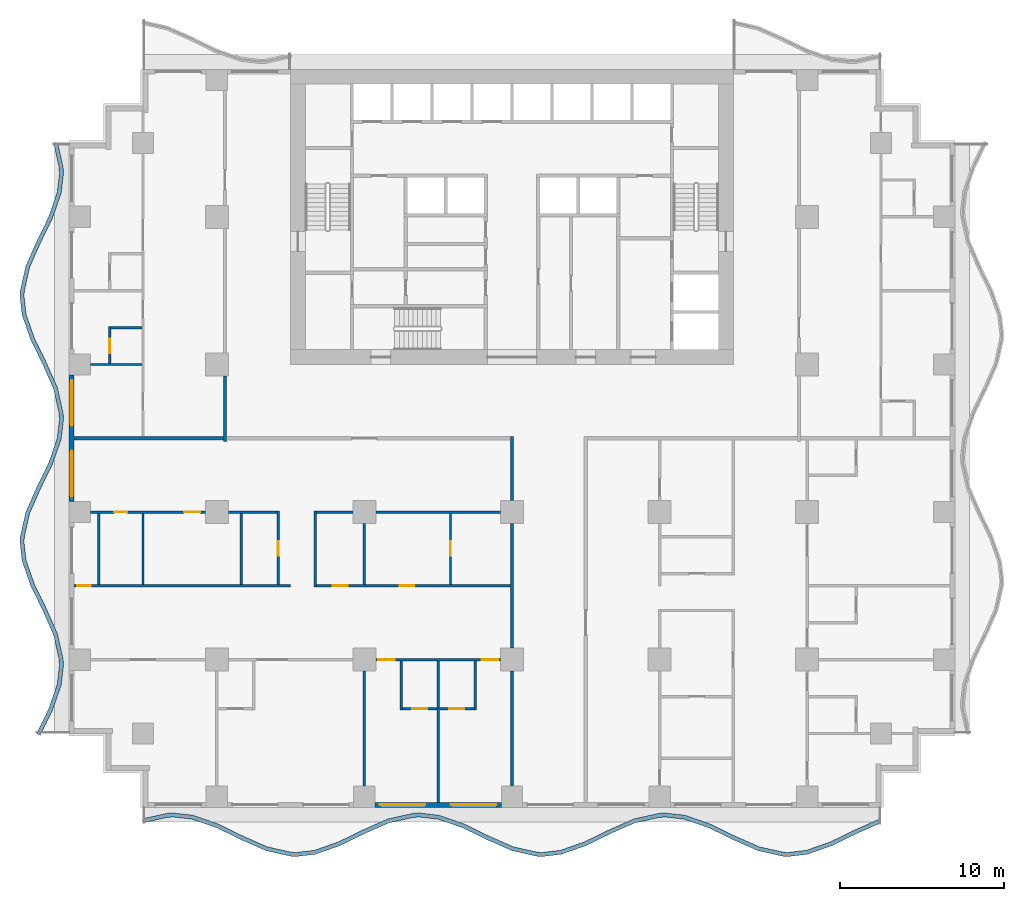
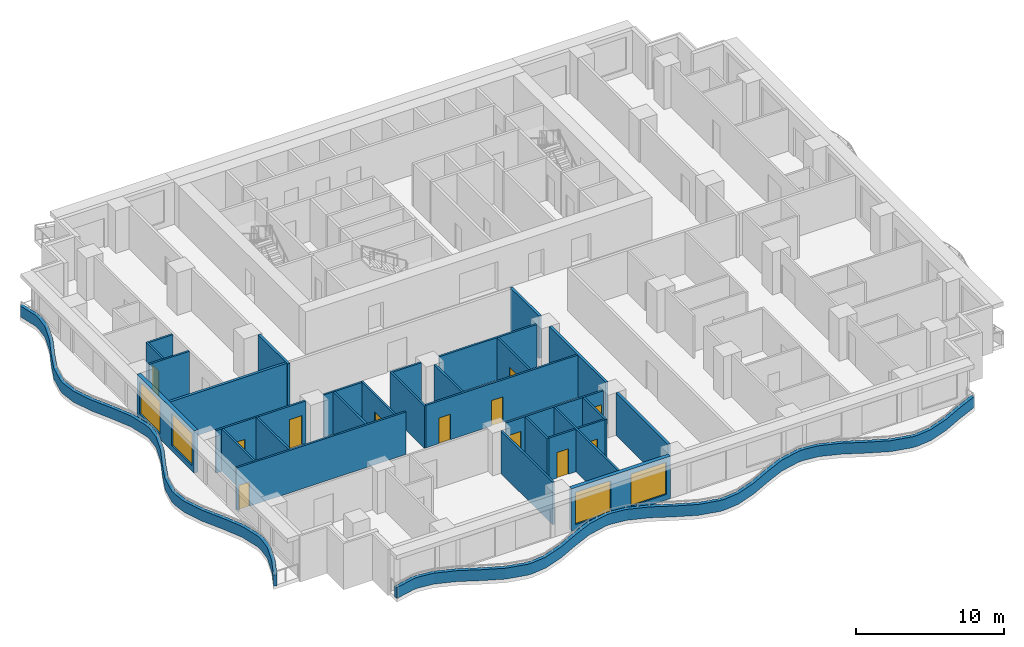
# One storey, part 2 of 13: 32 walls, 12 doors, 4 windows, 16 openings.
"""IFC4 building model written with IfcOpenShell, lengths in metres."""

from ifc_helpers import new_model, si_unit, direction, frame, frame_2d, origin, place, context, subcontext, project, spatial, polyline, rectangle, outline, extrude, material, layer, layer_set, type_object, element, fill, save


model = new_model("IFC4")

# Units and contexts
model_context = context("Model", 3, precision=1e-05, world=origin(), true_north=direction((0.0, 1.0)))
body_context = subcontext(model_context, "Body", "Model", "MODEL_VIEW")
ifc_project = project(units=[si_unit("LENGTHUNIT", "METRE"), si_unit("AREAUNIT", "SQUARE_METRE"), si_unit("VOLUMEUNIT", "CUBIC_METRE"), si_unit("PLANEANGLEUNIT", "RADIAN"), si_unit("MASSUNIT", "GRAM", prefix="KILO")], contexts=[model_context])

# Site, building, storey
site_placement = place(None, origin())
site = spatial("IfcSite", under=ifc_project, at=site_placement, CompositionType="ELEMENT")
building_placement = place(site_placement, origin())
building = spatial("IfcBuilding", under=site, at=building_placement, Name="Orbiselva Terraces", CompositionType="ELEMENT")
storey_placement = place(building_placement, frame((0.0, 0.0, 96.0)))
storey = spatial("IfcBuildingStorey", under=building, at=storey_placement, Name="L24", CompositionType="ELEMENT", Elevation=96.0)

# Walls
ifc_material_1 = material(Name="Concrete C40/50", Category="concrete")
ifc_layer_1 = layer(ifc_material_1, 0.25)
ifc_layer_set_1 = layer_set([ifc_layer_1], Name="Concrete C40/50")
wall_type_1 = type_object("IfcWallType", Name="ENV-PLANTER-250x900", PredefinedType="USERDEFINED", material=ifc_layer_set_1)
wall_1_placement = place(storey_placement, origin())
element("IfcWall", 1, at=wall_1_placement, inside=storey, type_object=wall_type_1, Name="Balcony planter L24 S", ObjectType="PLANTER", PredefinedType="USERDEFINED", context=body_context, shape_type="SweptSolid", body=[
    extrude(outline(polyline([(-22.5, -23.451472), (-21.0, -23.114774), (-20.625, -23.1), (-19.5, -23.230792), (-18.0, -23.755211), (-16.5, -24.487721), (-15.0, -25.148528), (-13.5, -25.485226), (-13.125, -25.5), (-12.0, -25.369208), (-10.5, -24.844789), (-9.0, -24.112279), (-7.5, -23.451472), (-6.0, -23.114774), (-5.625, -23.1), (-4.5, -23.230792), (-3.0, -23.755211), (-1.5, -24.487721), (0.0, -25.148528), (1.5, -25.485226), (1.875, -25.5), (3.0, -25.369208), (4.5, -24.844789), (6.0, -24.112279), (7.5, -23.451472), (9.0, -23.114774), (9.375, -23.1), (10.5, -23.230792), (12.0, -23.755211), (13.5, -24.487721), (15.0, -25.148528), (16.5, -25.485226), (16.875, -25.5), (18.0, -25.369208), (19.5, -24.844789), (21.0, -24.112279), (22.5, -23.451472), (22.399212, -23.222689), (20.894714, -23.885477), (19.40356, -24.613667), (17.943629, -25.124078), (16.865428, -25.249429), (16.532565, -25.236315), (15.078508, -24.90993), (13.605286, -24.260919), (12.09644, -23.524089), (10.556371, -22.985662), (9.384572, -22.849429), (8.967435, -22.865863), (7.421492, -23.212874), (5.894714, -23.885477), (4.40356, -24.613667), (2.943629, -25.124078), (1.865428, -25.249429), (1.532565, -25.236315), (0.078508, -24.90993), (-1.394714, -24.260919), (-2.90356, -23.524089), (-4.443629, -22.985662), (-5.615428, -22.849429), (-6.032565, -22.865863), (-7.578508, -23.212874), (-9.105286, -23.885477), (-10.59644, -24.613667), (-12.056371, -25.124078), (-13.134572, -25.249429), (-13.467435, -25.236315), (-14.921492, -24.90993), (-16.394714, -24.260919), (-17.90356, -23.524089), (-19.443629, -22.985662), (-20.615428, -22.849429), (-21.032565, -22.865863), (-22.554754, -23.207542), (-22.5, -23.451472)])), origin(), (0.0, 0.0, 1.0), 0.9),
])
wall_2_placement = place(storey_placement, origin())
element("IfcWall", 2, at=wall_2_placement, inside=storey, type_object=wall_type_1, Name="Balcony planter L24 W", ObjectType="PLANTER", PredefinedType="USERDEFINED", context=body_context, shape_type="SweptSolid", body=[
    extrude(outline(polyline([(-27.951472, 18.0), (-27.614774, 16.5), (-27.6, 16.125), (-27.730792, 15.0), (-28.255211, 13.5), (-28.987721, 12.0), (-29.648528, 10.5), (-29.985226, 9.0), (-30.0, 8.625), (-29.869208, 7.5), (-29.344789, 6.0), (-28.612279, 4.5), (-27.951472, 3.0), (-27.614774, 1.5), (-27.6, 1.125), (-27.730792, 0.0), (-28.255211, -1.5), (-28.987721, -3.0), (-29.648528, -4.5), (-29.985226, -6.0), (-30.0, -6.375), (-29.869208, -7.5), (-29.344789, -9.0), (-28.612279, -10.5), (-27.951472, -12.0), (-27.614774, -13.5), (-27.6, -13.875), (-27.730792, -15.0), (-28.255211, -16.5), (-28.987721, -18.0), (-28.763076, -18.109703), (-28.024089, -16.59644), (-27.485662, -15.056371), (-27.349429, -13.884572), (-27.365863, -13.467435), (-27.712874, -11.921492), (-28.385477, -10.394714), (-29.113667, -8.90356), (-29.624078, -7.443629), (-29.749429, -6.365428), (-29.736315, -6.032565), (-29.40993, -4.578508), (-28.760919, -3.105286), (-28.024089, -1.59644), (-27.485662, -0.056371), (-27.349429, 1.115428), (-27.365863, 1.532565), (-27.712874, 3.078508), (-28.385477, 4.605286), (-29.113667, 6.09644), (-29.624078, 7.556371), (-29.749429, 8.634572), (-29.736315, 8.967435), (-29.40993, 10.421492), (-28.760919, 11.894714), (-28.024089, 13.40356), (-27.485662, 14.943629), (-27.349429, 16.115428), (-27.365863, 16.532565), (-27.707542, 18.054754), (-27.951472, 18.0)])), origin(), (0.0, 0.0, 1.0), 0.9),
])

# Wall, openings, windows
ifc_material_2 = material(Name="Terracotta cladding on masonry backing", Category="masonry")
ifc_layer_2 = layer(ifc_material_2, 0.3)
ifc_layer_set_2 = layer_set([ifc_layer_2], Name="Terracotta cladding on masonry backing")
wall_type_2 = type_object("IfcWallType", Name="ENV-WALL-TERRACOTTA-300", PredefinedType="SOLIDWALL", material=ifc_layer_set_2)
wall_3_placement = place(storey_placement, frame((-0.65, -22.35, 0.0), z_axis=(0.0, 0.0, 1.0), x_axis=(-1.0, 0.0, 0.0)))
wall_3 = element("IfcWall", 3, at=wall_3_placement, inside=storey, type_object=wall_type_2, Name="Facade wall L24 S", PredefinedType="SOLIDWALL", context=body_context, shape_type="SweptSolid", body=[
    extrude(rectangle(XDim=7.7, YDim=0.3, at=frame_2d((3.85, 0.0))), origin(), (0.0, 0.0, 1.0), 3.5),
])
opening_1_placement = place(wall_3_placement, frame((4.625, 0.0, 0.45)))
opening_1 = element("IfcOpeningElement", 4, at=opening_1_placement, cuts=wall_3, Name="Opening WN6", PredefinedType="OPENING", context=body_context, shape_type="SweptSolid", body=[
    extrude(rectangle(XDim=2.775, YDim=2.65, at=frame_2d((1.3875, 1.325))), frame((0.0, 0.16, 0.0), z_axis=(0.0, -1.0, 0.0), x_axis=(1.0, 0.0, 0.0)), (0.0, 0.0, 1.0), 0.32),
])
opening_2_placement = place(wall_3_placement, frame((0.3, 0.0, 0.45)))
opening_2 = element("IfcOpeningElement", 5, at=opening_2_placement, cuts=wall_3, Name="Opening WN6", PredefinedType="OPENING", context=body_context, shape_type="SweptSolid", body=[
    extrude(rectangle(XDim=2.775, YDim=2.65, at=frame_2d((1.3875, 1.325))), frame((0.0, 0.16, 0.0), z_axis=(0.0, -1.0, 0.0), x_axis=(1.0, 0.0, 0.0)), (0.0, 0.0, 1.0), 0.32),
])
ifc_material_3 = material(Name="Clear low-e glazing in aluminium frame", Category="aluminium")
window_type = type_object("IfcWindowType", Name="WINDOW 2775 X 2650 S450", PartitioningType="TRIPLE_PANEL_VERTICAL", PredefinedType="WINDOW", material=ifc_material_3)
window_1_placement = place(opening_1_placement, origin())
window_1 = element("IfcWindow", 6, at=window_1_placement, inside=storey, type_object=window_type, Name="Window L24 S", OverallHeight=2.65, OverallWidth=2.775, PartitioningType="SINGLE_PANEL", PredefinedType="WINDOW", context=body_context, shape_type="SweptSolid", body=[
    extrude(rectangle(XDim=2.775, YDim=2.65, at=frame_2d((1.3875, 1.325))), frame((0.0, 0.03, 0.0), z_axis=(0.0, -1.0, 0.0), x_axis=(1.0, 0.0, 0.0)), (0.0, 0.0, 1.0), 0.06),
])
fill(opening_1, window_1)
window_2_placement = place(opening_2_placement, origin())
window_2 = element("IfcWindow", 7, at=window_2_placement, inside=storey, type_object=window_type, Name="Window L24 S", OverallHeight=2.65, OverallWidth=2.775, PartitioningType="SINGLE_PANEL", PredefinedType="WINDOW", context=body_context, shape_type="SweptSolid", body=[
    extrude(rectangle(XDim=2.775, YDim=2.65, at=frame_2d((1.3875, 1.325))), frame((0.0, 0.03, 0.0), z_axis=(0.0, -1.0, 0.0), x_axis=(1.0, 0.0, 0.0)), (0.0, 0.0, 1.0), 0.06),
])
fill(opening_2, window_2)

wall_4_placement = place(storey_placement, frame((-26.85, -3.85, 0.0), z_axis=(0.0, 0.0, 1.0), x_axis=(0.0, 1.0, 0.0)))
wall_4 = element("IfcWall", 8, at=wall_4_placement, inside=storey, type_object=wall_type_2, Name="Facade wall L24 W", PredefinedType="SOLIDWALL", context=body_context, shape_type="SweptSolid", body=[
    extrude(rectangle(XDim=7.7, YDim=0.3, at=frame_2d((3.85, 0.0))), origin(), (0.0, 0.0, 1.0), 3.5),
])
opening_3_placement = place(wall_4_placement, frame((4.625, 0.0, 0.45)))
opening_3 = element("IfcOpeningElement", 9, at=opening_3_placement, cuts=wall_4, Name="Opening WN6", PredefinedType="OPENING", context=body_context, shape_type="SweptSolid", body=[
    extrude(rectangle(XDim=2.775, YDim=2.65, at=frame_2d((1.3875, 1.325))), frame((0.0, 0.16, 0.0), z_axis=(0.0, -1.0, 0.0), x_axis=(1.0, 0.0, 0.0)), (0.0, 0.0, 1.0), 0.32),
])
opening_4_placement = place(wall_4_placement, frame((0.3, 0.0, 0.45)))
opening_4 = element("IfcOpeningElement", 10, at=opening_4_placement, cuts=wall_4, Name="Opening WN6", PredefinedType="OPENING", context=body_context, shape_type="SweptSolid", body=[
    extrude(rectangle(XDim=2.775, YDim=2.65, at=frame_2d((1.3875, 1.325))), frame((0.0, 0.16, 0.0), z_axis=(0.0, -1.0, 0.0), x_axis=(1.0, 0.0, 0.0)), (0.0, 0.0, 1.0), 0.32),
])
window_3_placement = place(opening_3_placement, origin())
window_3 = element("IfcWindow", 11, at=window_3_placement, inside=storey, type_object=window_type, Name="Window L24 W", OverallHeight=2.65, OverallWidth=2.775, PartitioningType="SINGLE_PANEL", PredefinedType="WINDOW", context=body_context, shape_type="SweptSolid", body=[
    extrude(rectangle(XDim=2.775, YDim=2.65, at=frame_2d((1.3875, 1.325))), frame((0.0, 0.03, 0.0), z_axis=(0.0, -1.0, 0.0), x_axis=(1.0, 0.0, 0.0)), (0.0, 0.0, 1.0), 0.06),
])
fill(opening_3, window_3)
window_4_placement = place(opening_4_placement, origin())
window_4 = element("IfcWindow", 12, at=window_4_placement, inside=storey, type_object=window_type, Name="Window L24 W", OverallHeight=2.65, OverallWidth=2.775, PartitioningType="SINGLE_PANEL", PredefinedType="WINDOW", context=body_context, shape_type="SweptSolid", body=[
    extrude(rectangle(XDim=2.775, YDim=2.65, at=frame_2d((1.3875, 1.325))), frame((0.0, 0.03, 0.0), z_axis=(0.0, -1.0, 0.0), x_axis=(1.0, 0.0, 0.0)), (0.0, 0.0, 1.0), 0.06),
])
fill(opening_4, window_4)

# Walls
ifc_material_4 = material(Name="Plasterboard on steel stud partition", Category="steel")
ifc_layer_3 = layer(ifc_material_4, 0.2)
ifc_layer_set_3 = layer_set([ifc_layer_3], Name="Plasterboard on steel stud partition")
wall_type_3 = type_object("IfcWallType", Name="UNIT-ENTRANCE-WALL-200", PredefinedType="PARTITIONING", material=ifc_layer_set_3)
wall_5_placement = place(storey_placement, frame((-17.5, -0.2, 0.0), z_axis=(0.0, 0.0, 1.0), x_axis=(0.0, 1.0, 0.0)))
element("IfcWall", 13, at=wall_5_placement, inside=storey, type_object=wall_type_3, Name="PARTITION L24-044", PredefinedType="PARTITIONING", context=body_context, shape_type="SweptSolid", body=[
    extrude(rectangle(XDim=4.0, YDim=0.2, at=frame_2d((2.0, 0.0))), origin(), (0.0, 0.0, 1.0), 3.5),
])
wall_6_placement = place(storey_placement, frame((0.0, -21.2, 0.0), z_axis=(0.0, 0.0, 1.0), x_axis=(0.0, 1.0, 0.0)))
element("IfcWall", 14, at=wall_6_placement, inside=storey, type_object=wall_type_3, Name="PARTITION L24-057", PredefinedType="PARTITIONING", context=body_context, shape_type="SweptSolid", body=[
    extrude(rectangle(XDim=7.0, YDim=0.2, at=frame_2d((3.5, 0.0))), origin(), (0.0, 0.0, 1.0), 3.5),
])
wall_7_placement = place(storey_placement, frame((0.0, -12.8, 0.0), z_axis=(0.0, 0.0, 1.0), x_axis=(0.0, 1.0, 0.0)))
element("IfcWall", 15, at=wall_7_placement, inside=storey, type_object=wall_type_3, Name="PARTITION L24-058", PredefinedType="PARTITIONING", context=body_context, shape_type="SweptSolid", body=[
    extrude(rectangle(XDim=7.6, YDim=0.2, at=frame_2d((3.8, 0.0))), origin(), (0.0, 0.0, 1.0), 3.5),
])
wall_8_placement = place(storey_placement, frame((0.0, -3.8, 0.0), z_axis=(0.0, 0.0, 1.0), x_axis=(0.0, 1.0, 0.0)))
element("IfcWall", 16, at=wall_8_placement, inside=storey, type_object=wall_type_3, Name="PARTITION L24-059", PredefinedType="PARTITIONING", context=body_context, shape_type="SweptSolid", body=[
    extrude(rectangle(XDim=3.9, YDim=0.2, at=frame_2d((1.95, 0.0))), origin(), (0.0, 0.0, 1.0), 3.5),
])

# Wall, opening, door
ifc_layer_4 = layer(ifc_material_4, 0.15)
ifc_layer_set_4 = layer_set([ifc_layer_4], Name="Plasterboard on steel stud partition")
wall_type_4 = type_object("IfcWallType", Name="UNIT-PARTITION-150", PredefinedType="PARTITIONING", material=ifc_layer_set_4)
wall_9_placement = place(storey_placement, frame((-6.675, -16.5, 0.0), z_axis=(0.0, 0.0, 1.0), x_axis=(1.0, 0.0, 0.0)))
wall_9 = element("IfcWall", 17, at=wall_9_placement, inside=storey, type_object=wall_type_4, Name="PARTITION L24-005", PredefinedType="PARTITIONING", context=body_context, shape_type="SweptSolid", body=[
    extrude(rectangle(XDim=2.1, YDim=0.15, at=frame_2d((1.05, 0.0))), origin(), (0.0, 0.0, 1.0), 3.5),
])
opening_5_placement = place(wall_9_placement, frame((0.6, 0.0, 0.0)))
opening_5 = element("IfcOpeningElement", 18, at=opening_5_placement, cuts=wall_9, Name="Opening Z2-C-25", PredefinedType="OPENING", context=body_context, shape_type="SweptSolid", body=[
    extrude(rectangle(XDim=0.9, YDim=2.1, at=frame_2d((0.45, 1.05))), frame((0.0, 0.085, 0.0), z_axis=(0.0, -1.0, 0.0), x_axis=(1.0, 0.0, 0.0)), (0.0, 0.0, 1.0), 0.17),
])
ifc_material_5 = material(Name="Painted timber door leaf", Category="wood")
door_type_1 = type_object("IfcDoorType", Name="BATH DOOR 900", OperationType="NOTDEFINED", PredefinedType="DOOR", material=ifc_material_5)
door_1_placement = place(opening_5_placement, origin())
door_1 = element("IfcDoor", 19, at=door_1_placement, inside=storey, type_object=door_type_1, Name="Z2-C-25", OperationType="SINGLE_SWING_LEFT", OverallHeight=2.1, OverallWidth=0.9, PredefinedType="DOOR", context=body_context, shape_type="SweptSolid", body=[
    extrude(rectangle(XDim=0.9, YDim=2.1, at=frame_2d((0.45, 1.05))), frame((0.0, 0.025, 0.0), z_axis=(0.0, -1.0, 0.0), x_axis=(1.0, 0.0, 0.0)), (0.0, 0.0, 1.0), 0.05),
])
fill(opening_5, door_1)

wall_10_placement = place(storey_placement, frame((-4.425, -16.5, 0.0), z_axis=(0.0, 0.0, 1.0), x_axis=(1.0, 0.0, 0.0)))
wall_10 = element("IfcWall", 20, at=wall_10_placement, inside=storey, type_object=wall_type_4, Name="PARTITION L24-006", PredefinedType="PARTITIONING", context=body_context, shape_type="SweptSolid", body=[
    extrude(rectangle(XDim=2.1, YDim=0.15, at=frame_2d((1.05, 0.0))), origin(), (0.0, 0.0, 1.0), 3.5),
])
opening_6_placement = place(wall_10_placement, frame((0.6, 0.0, 0.0)))
opening_6 = element("IfcOpeningElement", 21, at=opening_6_placement, cuts=wall_10, Name="Opening Z2-C-27", PredefinedType="OPENING", context=body_context, shape_type="SweptSolid", body=[
    extrude(rectangle(XDim=0.9, YDim=2.1, at=frame_2d((0.45, 1.05))), frame((0.0, 0.085, 0.0), z_axis=(0.0, -1.0, 0.0), x_axis=(1.0, 0.0, 0.0)), (0.0, 0.0, 1.0), 0.17),
])
door_2_placement = place(opening_6_placement, origin())
door_2 = element("IfcDoor", 22, at=door_2_placement, inside=storey, type_object=door_type_1, Name="Z2-C-27", OperationType="SINGLE_SWING_RIGHT", OverallHeight=2.1, OverallWidth=0.9, PredefinedType="DOOR", context=body_context, shape_type="SweptSolid", body=[
    extrude(rectangle(XDim=0.9, YDim=2.1, at=frame_2d((0.45, 1.05))), frame((0.0, 0.025, 0.0), z_axis=(0.0, -1.0, 0.0), x_axis=(1.0, 0.0, 0.0)), (0.0, 0.0, 1.0), 0.05),
])
fill(opening_6, door_2)

# Wall, openings, doors
wall_11_placement = place(storey_placement, frame((-0.7, -13.5, 0.0), z_axis=(0.0, 0.0, 1.0), x_axis=(-1.0, 0.0, 0.0)))
wall_11 = element("IfcWall", 23, at=wall_11_placement, inside=storey, type_object=wall_type_4, Name="PARTITION L24-011", PredefinedType="PARTITIONING", context=body_context, shape_type="SweptSolid", body=[
    extrude(rectangle(XDim=7.6, YDim=0.15, at=frame_2d((3.8, 0.0))), origin(), (0.0, 0.0, 1.0), 3.5),
])
opening_7_placement = place(wall_11_placement, frame((6.45, 0.0, 0.0)))
opening_7 = element("IfcOpeningElement", 24, at=opening_7_placement, cuts=wall_11, Name="Opening Z2-C-24", PredefinedType="OPENING", context=body_context, shape_type="SweptSolid", body=[
    extrude(rectangle(XDim=1.0, YDim=2.4, at=frame_2d((0.5, 1.2))), frame((0.0, 0.085, 0.0), z_axis=(0.0, -1.0, 0.0), x_axis=(1.0, 0.0, 0.0)), (0.0, 0.0, 1.0), 0.17),
])
opening_8_placement = place(wall_11_placement, frame((0.15, 0.0, 0.0)))
opening_8 = element("IfcOpeningElement", 25, at=opening_8_placement, cuts=wall_11, Name="Opening Z2-C-26", PredefinedType="OPENING", context=body_context, shape_type="SweptSolid", body=[
    extrude(rectangle(XDim=1.0, YDim=2.4, at=frame_2d((0.5, 1.2))), frame((0.0, 0.085, 0.0), z_axis=(0.0, -1.0, 0.0), x_axis=(1.0, 0.0, 0.0)), (0.0, 0.0, 1.0), 0.17),
])
door_type_2 = type_object("IfcDoorType", Name="ROOM DOOR 1000", OperationType="NOTDEFINED", PredefinedType="DOOR", material=ifc_material_5)
door_3_placement = place(opening_7_placement, origin())
door_3 = element("IfcDoor", 26, at=door_3_placement, inside=storey, type_object=door_type_2, Name="Z2-C-24", OperationType="SINGLE_SWING_RIGHT", OverallHeight=2.4, OverallWidth=1.0, PredefinedType="DOOR", context=body_context, shape_type="SweptSolid", body=[
    extrude(rectangle(XDim=1.0, YDim=2.4, at=frame_2d((0.5, 1.2))), frame((0.0, 0.025, 0.0), z_axis=(0.0, -1.0, 0.0), x_axis=(1.0, 0.0, 0.0)), (0.0, 0.0, 1.0), 0.05),
])
fill(opening_7, door_3)
door_4_placement = place(opening_8_placement, origin())
door_4 = element("IfcDoor", 27, at=door_4_placement, inside=storey, type_object=door_type_2, Name="Z2-C-26", OperationType="SINGLE_SWING_LEFT", OverallHeight=2.4, OverallWidth=1.0, PredefinedType="DOOR", context=body_context, shape_type="SweptSolid", body=[
    extrude(rectangle(XDim=1.0, YDim=2.4, at=frame_2d((0.5, 1.2))), frame((0.0, 0.025, 0.0), z_axis=(0.0, -1.0, 0.0), x_axis=(1.0, 0.0, 0.0)), (0.0, 0.0, 1.0), 0.05),
])
fill(opening_8, door_4)

# Wall, opening, door
wall_12_placement = place(storey_placement, frame((-26.7, -9.0, 0.0), z_axis=(0.0, 0.0, 1.0), x_axis=(1.0, 0.0, 0.0)))
wall_12 = element("IfcWall", 28, at=wall_12_placement, inside=storey, type_object=wall_type_4, Name="PARTITION L24-015", PredefinedType="PARTITIONING", context=body_context, shape_type="SweptSolid", body=[
    extrude(rectangle(XDim=13.2, YDim=0.15, at=frame_2d((6.6, 0.0))), origin(), (0.0, 0.0, 1.0), 3.5),
])
opening_9_placement = place(wall_12_placement, frame((0.2, 0.0, 0.0)))
opening_9 = element("IfcOpeningElement", 29, at=opening_9_placement, cuts=wall_12, Name="Opening Z2-C-14", PredefinedType="OPENING", context=body_context, shape_type="SweptSolid", body=[
    extrude(rectangle(XDim=0.8, YDim=2.0, at=frame_2d((0.4, 1.0))), frame((0.0, 0.085, 0.0), z_axis=(0.0, -1.0, 0.0), x_axis=(1.0, 0.0, 0.0)), (0.0, 0.0, 1.0), 0.17),
])
door_type_3 = type_object("IfcDoorType", Name="STORE DOOR 800", OperationType="NOTDEFINED", PredefinedType="DOOR", material=ifc_material_5)
door_5_placement = place(opening_9_placement, origin())
door_5 = element("IfcDoor", 30, at=door_5_placement, inside=storey, type_object=door_type_3, Name="Z2-C-14", OperationType="SINGLE_SWING_LEFT", OverallHeight=2.0, OverallWidth=0.8, PredefinedType="DOOR", context=body_context, shape_type="SweptSolid", body=[
    extrude(rectangle(XDim=0.8, YDim=2.0, at=frame_2d((0.4, 1.0))), frame((0.0, 0.025, 0.0), z_axis=(0.0, -1.0, 0.0), x_axis=(1.0, 0.0, 0.0)), (0.0, 0.0, 1.0), 0.05),
])
fill(opening_9, door_5)

# Wall, openings, doors
wall_13_placement = place(storey_placement, frame((-11.925, -9.0, 0.0), z_axis=(0.0, 0.0, 1.0), x_axis=(1.0, 0.0, 0.0)))
wall_13 = element("IfcWall", 31, at=wall_13_placement, inside=storey, type_object=wall_type_4, Name="PARTITION L24-016", PredefinedType="PARTITIONING", context=body_context, shape_type="SweptSolid", body=[
    extrude(rectangle(XDim=11.825, YDim=0.15, at=frame_2d((5.9125, 0.0))), origin(), (0.0, 0.0, 1.0), 3.5),
])
opening_10_placement = place(wall_13_placement, frame((1.0, 0.0, 0.0)))
opening_10 = element("IfcOpeningElement", 32, at=opening_10_placement, cuts=wall_13, Name="Opening Z2-C-18", PredefinedType="OPENING", context=body_context, shape_type="SweptSolid", body=[
    extrude(rectangle(XDim=0.9, YDim=2.1, at=frame_2d((0.45, 1.05))), frame((0.0, 0.085, 0.0), z_axis=(0.0, -1.0, 0.0), x_axis=(1.0, 0.0, 0.0)), (0.0, 0.0, 1.0), 0.17),
])
opening_11_placement = place(wall_13_placement, frame((5.075, 0.0, 0.0)))
opening_11 = element("IfcOpeningElement", 33, at=opening_11_placement, cuts=wall_13, Name="Opening Z2-C-19", PredefinedType="OPENING", context=body_context, shape_type="SweptSolid", body=[
    extrude(rectangle(XDim=0.9, YDim=2.1, at=frame_2d((0.45, 1.05))), frame((0.0, 0.085, 0.0), z_axis=(0.0, -1.0, 0.0), x_axis=(1.0, 0.0, 0.0)), (0.0, 0.0, 1.0), 0.17),
])
door_type_4 = type_object("IfcDoorType", Name="SERVICE DOOR 900", OperationType="NOTDEFINED", PredefinedType="DOOR", material=ifc_material_5)
door_6_placement = place(opening_10_placement, origin())
door_6 = element("IfcDoor", 34, at=door_6_placement, inside=storey, type_object=door_type_4, Name="Z2-C-18", OperationType="SINGLE_SWING_LEFT", OverallHeight=2.1, OverallWidth=0.9, PredefinedType="DOOR", context=body_context, shape_type="SweptSolid", body=[
    extrude(rectangle(XDim=0.9, YDim=2.1, at=frame_2d((0.45, 1.05))), frame((0.0, 0.025, 0.0), z_axis=(0.0, -1.0, 0.0), x_axis=(1.0, 0.0, 0.0)), (0.0, 0.0, 1.0), 0.05),
])
fill(opening_10, door_6)
door_7_placement = place(opening_11_placement, origin())
door_7 = element("IfcDoor", 35, at=door_7_placement, inside=storey, type_object=door_type_4, Name="Z2-C-19", OperationType="SINGLE_SWING_LEFT", OverallHeight=2.1, OverallWidth=0.9, PredefinedType="DOOR", context=body_context, shape_type="SweptSolid", body=[
    extrude(rectangle(XDim=0.9, YDim=2.1, at=frame_2d((0.45, 1.05))), frame((0.0, 0.025, 0.0), z_axis=(0.0, -1.0, 0.0), x_axis=(1.0, 0.0, 0.0)), (0.0, 0.0, 1.0), 0.05),
])
fill(opening_11, door_7)

wall_14_placement = place(storey_placement, frame((-18.7, -4.5, 0.0), z_axis=(0.0, 0.0, 1.0), x_axis=(-1.0, 0.0, 0.0)))
wall_14 = element("IfcWall", 36, at=wall_14_placement, inside=storey, type_object=wall_type_4, Name="PARTITION L24-020", PredefinedType="PARTITIONING", context=body_context, shape_type="SweptSolid", body=[
    extrude(rectangle(XDim=7.0, YDim=0.15, at=frame_2d((3.5, 0.0))), origin(), (0.0, 0.0, 1.0), 3.5),
])
opening_12_placement = place(wall_14_placement, frame((4.75, 0.0, 0.0)))
opening_12 = element("IfcOpeningElement", 37, at=opening_12_placement, cuts=wall_14, Name="Opening Z2-C-15", PredefinedType="OPENING", context=body_context, shape_type="SweptSolid", body=[
    extrude(rectangle(XDim=0.8, YDim=2.0, at=frame_2d((0.4, 1.0))), frame((0.0, 0.085, 0.0), z_axis=(0.0, -1.0, 0.0), x_axis=(1.0, 0.0, 0.0)), (0.0, 0.0, 1.0), 0.17),
])
opening_13_placement = place(wall_14_placement, frame((0.3, 0.0, 0.0)))
opening_13 = element("IfcOpeningElement", 38, at=opening_13_placement, cuts=wall_14, Name="Opening Z2-C-16", PredefinedType="OPENING", context=body_context, shape_type="SweptSolid", body=[
    extrude(rectangle(XDim=1.0, YDim=2.4, at=frame_2d((0.5, 1.2))), frame((0.0, 0.085, 0.0), z_axis=(0.0, -1.0, 0.0), x_axis=(1.0, 0.0, 0.0)), (0.0, 0.0, 1.0), 0.17),
])
door_8_placement = place(opening_13_placement, origin())
door_8 = element("IfcDoor", 39, at=door_8_placement, inside=storey, type_object=door_type_2, Name="Z2-C-16", OperationType="SINGLE_SWING_LEFT", OverallHeight=2.4, OverallWidth=1.0, PredefinedType="DOOR", context=body_context, shape_type="SweptSolid", body=[
    extrude(rectangle(XDim=1.0, YDim=2.4, at=frame_2d((0.5, 1.2))), frame((0.0, 0.025, 0.0), z_axis=(0.0, -1.0, 0.0), x_axis=(1.0, 0.0, 0.0)), (0.0, 0.0, 1.0), 0.05),
])
fill(opening_13, door_8)
door_9_placement = place(opening_12_placement, origin())
door_9 = element("IfcDoor", 40, at=door_9_placement, inside=storey, type_object=door_type_3, Name="Z2-C-15", OperationType="SINGLE_SWING_RIGHT", OverallHeight=2.0, OverallWidth=0.8, PredefinedType="DOOR", context=body_context, shape_type="SweptSolid", body=[
    extrude(rectangle(XDim=0.8, YDim=2.0, at=frame_2d((0.4, 1.0))), frame((0.0, 0.025, 0.0), z_axis=(0.0, -1.0, 0.0), x_axis=(1.0, 0.0, 0.0)), (0.0, 0.0, 1.0), 0.05),
])
fill(opening_12, door_9)

# Walls
wall_15_placement = place(storey_placement, frame((-17.3, -4.5, 0.0), z_axis=(0.0, 0.0, 1.0), x_axis=(1.0, 0.0, 0.0)))
element("IfcWall", 41, at=wall_15_placement, inside=storey, type_object=wall_type_4, Name="PARTITION L24-021", PredefinedType="PARTITIONING", context=body_context, shape_type="SweptSolid", body=[
    extrude(rectangle(XDim=2.975, YDim=0.15, at=frame_2d((1.4875, 0.0))), origin(), (0.0, 0.0, 1.0), 3.5),
])
wall_16_placement = place(storey_placement, frame((-11.925, -4.5, 0.0), z_axis=(0.0, 0.0, 1.0), x_axis=(1.0, 0.0, 0.0)))
element("IfcWall", 42, at=wall_16_placement, inside=storey, type_object=wall_type_4, Name="PARTITION L24-022", PredefinedType="PARTITIONING", context=body_context, shape_type="SweptSolid", body=[
    extrude(rectangle(XDim=2.225, YDim=0.15, at=frame_2d((1.1125, 0.0))), origin(), (0.0, 0.0, 1.0), 3.5),
])
wall_17_placement = place(storey_placement, frame((-8.3, -4.5, 0.0), z_axis=(0.0, 0.0, 1.0), x_axis=(1.0, 0.0, 0.0)))
element("IfcWall", 43, at=wall_17_placement, inside=storey, type_object=wall_type_4, Name="PARTITION L24-023", PredefinedType="PARTITIONING", context=body_context, shape_type="SweptSolid", body=[
    extrude(rectangle(XDim=7.6, YDim=0.15, at=frame_2d((3.8, 0.0))), origin(), (0.0, 0.0, 1.0), 3.5),
])
wall_18_placement = place(storey_placement, frame((-25.7, 4.5, 0.0), z_axis=(0.0, 0.0, 1.0), x_axis=(1.0, 0.0, 0.0)))
element("IfcWall", 44, at=wall_18_placement, inside=storey, type_object=wall_type_4, Name="PARTITION L24-030", PredefinedType="PARTITIONING", context=body_context, shape_type="SweptSolid", body=[
    extrude(rectangle(XDim=3.125, YDim=0.15, at=frame_2d((1.5625, 0.0))), origin(), (0.0, 0.0, 1.0), 3.5),
])
wall_19_placement = place(storey_placement, frame((-24.45, 6.75, 0.0), z_axis=(0.0, 0.0, 1.0), x_axis=(1.0, 0.0, 0.0)))
element("IfcWall", 45, at=wall_19_placement, inside=storey, type_object=wall_type_4, Name="PARTITION L24-031", PredefinedType="PARTITIONING", context=body_context, shape_type="SweptSolid", body=[
    extrude(rectangle(XDim=1.875, YDim=0.15, at=frame_2d((0.9375, 0.0))), origin(), (0.0, 0.0, 1.0), 3.5),
])
wall_20_placement = place(storey_placement, frame((-25.2, -8.925, 0.0), z_axis=(0.0, 0.0, 1.0), x_axis=(0.0, 1.0, 0.0)))
element("IfcWall", 46, at=wall_20_placement, inside=storey, type_object=wall_type_4, Name="PARTITION L24-037", PredefinedType="PARTITIONING", context=body_context, shape_type="SweptSolid", body=[
    extrude(rectangle(XDim=4.35, YDim=0.15, at=frame_2d((2.175, 0.0))), origin(), (0.0, 0.0, 1.0), 3.5),
])

# Wall, opening, door
wall_21_placement = place(storey_placement, frame((-24.525, 6.825, 0.0), z_axis=(0.0, 0.0, 1.0), x_axis=(0.0, -1.0, 0.0)))
wall_21 = element("IfcWall", 47, at=wall_21_placement, inside=storey, type_object=wall_type_4, Name="PARTITION L24-038", PredefinedType="PARTITIONING", context=body_context, shape_type="SweptSolid", body=[
    extrude(rectangle(XDim=2.25, YDim=0.15, at=frame_2d((1.125, 0.0))), origin(), (0.0, 0.0, 1.0), 3.5),
])
opening_14_placement = place(wall_21_placement, frame((0.75, 0.0, 0.0)))
opening_14 = element("IfcOpeningElement", 48, at=opening_14_placement, cuts=wall_21, Name="Opening Z2-C-04", PredefinedType="OPENING", context=body_context, shape_type="SweptSolid", body=[
    extrude(rectangle(XDim=0.9, YDim=2.1, at=frame_2d((0.45, 1.05))), frame((0.0, 0.085, 0.0), z_axis=(0.0, -1.0, 0.0), x_axis=(1.0, 0.0, 0.0)), (0.0, 0.0, 1.0), 0.17),
])
door_10_placement = place(opening_14_placement, origin())
door_10 = element("IfcDoor", 49, at=door_10_placement, inside=storey, type_object=door_type_1, Name="Z2-C-04", OperationType="SINGLE_SWING_RIGHT", OverallHeight=2.1, OverallWidth=0.9, PredefinedType="DOOR", context=body_context, shape_type="SweptSolid", body=[
    extrude(rectangle(XDim=0.9, YDim=2.1, at=frame_2d((0.45, 1.05))), frame((0.0, 0.025, 0.0), z_axis=(0.0, -1.0, 0.0), x_axis=(1.0, 0.0, 0.0)), (0.0, 0.0, 1.0), 0.05),
])
fill(opening_14, door_10)

# Walls
for number, where, z_axis, x_axis, name in (
    (50, (-22.5, -8.925, 0.0), (0.0, 0.0, 1.0), (0.0, 1.0, 0.0), "PARTITION L24-040"),
    (51, (-16.5, -8.925, 0.0), (0.0, 0.0, 1.0), (0.0, 1.0, 0.0), "PARTITION L24-047"),
):
    element("IfcWall", number, at=place(storey_placement, frame(where, z_axis=z_axis, x_axis=x_axis)), inside=storey, type_object=wall_type_4, Name=name, PredefinedType="PARTITIONING", context=body_context, shape_type="SweptSolid", body=[
        extrude(rectangle(XDim=4.35, YDim=0.15, at=frame_2d((2.175, 0.0))), origin(), (0.0, 0.0, 1.0), 3.5),
    ])

# Wall, opening, door
wall_22_placement = place(storey_placement, frame((-14.25, -8.925, 0.0), z_axis=(0.0, 0.0, 1.0), x_axis=(0.0, 1.0, 0.0)))
wall_22 = element("IfcWall", 52, at=wall_22_placement, inside=storey, type_object=wall_type_4, Name="PARTITION L24-049", PredefinedType="PARTITIONING", context=body_context, shape_type="SweptSolid", body=[
    extrude(rectangle(XDim=4.5, YDim=0.15, at=frame_2d((2.25, 0.0))), origin(), (0.0, 0.0, 1.0), 3.5),
])
opening_15_placement = place(wall_22_placement, frame((1.75, 0.0, 0.0)))
opening_15 = element("IfcOpeningElement", 53, at=opening_15_placement, cuts=wall_22, Name="Opening Z2-C-17", PredefinedType="OPENING", context=body_context, shape_type="SweptSolid", body=[
    extrude(rectangle(XDim=0.9, YDim=2.1, at=frame_2d((0.45, 1.05))), frame((0.0, 0.085, 0.0), z_axis=(0.0, -1.0, 0.0), x_axis=(1.0, 0.0, 0.0)), (0.0, 0.0, 1.0), 0.17),
])
door_11_placement = place(opening_15_placement, origin())
door_11 = element("IfcDoor", 54, at=door_11_placement, inside=storey, type_object=door_type_1, Name="Z2-C-17", OperationType="SINGLE_SWING_LEFT", OverallHeight=2.1, OverallWidth=0.9, PredefinedType="DOOR", context=body_context, shape_type="SweptSolid", body=[
    extrude(rectangle(XDim=0.9, YDim=2.1, at=frame_2d((0.45, 1.05))), frame((0.0, 0.025, 0.0), z_axis=(0.0, -1.0, 0.0), x_axis=(1.0, 0.0, 0.0)), (0.0, 0.0, 1.0), 0.05),
])
fill(opening_15, door_11)

# Walls
wall_23_placement = place(storey_placement, frame((-12.0, -9.075, 0.0), z_axis=(0.0, 0.0, 1.0), x_axis=(0.0, 1.0, 0.0)))
element("IfcWall", 55, at=wall_23_placement, inside=storey, type_object=wall_type_4, Name="PARTITION L24-050", PredefinedType="PARTITIONING", context=body_context, shape_type="SweptSolid", body=[
    extrude(rectangle(XDim=4.65, YDim=0.15, at=frame_2d((2.325, 0.0))), origin(), (0.0, 0.0, 1.0), 3.5),
])
wall_24_placement = place(storey_placement, frame((-9.0, -21.2, 0.0), z_axis=(0.0, 0.0, 1.0), x_axis=(0.0, 1.0, 0.0)))
element("IfcWall", 56, at=wall_24_placement, inside=storey, type_object=wall_type_4, Name="PARTITION L24-051", PredefinedType="PARTITIONING", context=body_context, shape_type="SweptSolid", body=[
    extrude(rectangle(XDim=7.0, YDim=0.15, at=frame_2d((3.5, 0.0))), origin(), (0.0, 0.0, 1.0), 3.5),
])
wall_25_placement = place(storey_placement, frame((-9.0, -8.925, 0.0), z_axis=(0.0, 0.0, 1.0), x_axis=(0.0, 1.0, 0.0)))
element("IfcWall", 57, at=wall_25_placement, inside=storey, type_object=wall_type_4, Name="PARTITION L24-052", PredefinedType="PARTITIONING", context=body_context, shape_type="SweptSolid", body=[
    extrude(rectangle(XDim=3.725, YDim=0.15, at=frame_2d((1.8625, 0.0))), origin(), (0.0, 0.0, 1.0), 3.5),
])
wall_26_placement = place(storey_placement, frame((-6.75, -16.575, 0.0), z_axis=(0.0, 0.0, 1.0), x_axis=(0.0, 1.0, 0.0)))
element("IfcWall", 58, at=wall_26_placement, inside=storey, type_object=wall_type_4, Name="PARTITION L24-053", PredefinedType="PARTITIONING", context=body_context, shape_type="SweptSolid", body=[
    extrude(rectangle(XDim=3.0, YDim=0.15, at=frame_2d((1.5, 0.0))), origin(), (0.0, 0.0, 1.0), 3.5),
])
wall_27_placement = place(storey_placement, frame((-4.5, -22.2, 0.0), z_axis=(0.0, 0.0, 1.0), x_axis=(0.0, 1.0, 0.0)))
element("IfcWall", 59, at=wall_27_placement, inside=storey, type_object=wall_type_4, Name="PARTITION L24-054", PredefinedType="PARTITIONING", context=body_context, shape_type="SweptSolid", body=[
    extrude(rectangle(XDim=8.625, YDim=0.15, at=frame_2d((4.3125, 0.0))), origin(), (0.0, 0.0, 1.0), 3.5),
])

# Wall, opening, door
wall_28_placement = place(storey_placement, frame((-3.75, -4.575, 0.0), z_axis=(0.0, 0.0, 1.0), x_axis=(0.0, -1.0, 0.0)))
wall_28 = element("IfcWall", 60, at=wall_28_placement, inside=storey, type_object=wall_type_4, Name="PARTITION L24-055", PredefinedType="PARTITIONING", context=body_context, shape_type="SweptSolid", body=[
    extrude(rectangle(XDim=4.35, YDim=0.15, at=frame_2d((2.175, 0.0))), origin(), (0.0, 0.0, 1.0), 3.5),
])
opening_16_placement = place(wall_28_placement, frame((1.7, 0.0, 0.0)))
opening_16 = element("IfcOpeningElement", 61, at=opening_16_placement, cuts=wall_28, Name="Opening Z2-C-20", PredefinedType="OPENING", context=body_context, shape_type="SweptSolid", body=[
    extrude(rectangle(XDim=0.9, YDim=2.1, at=frame_2d((0.45, 1.05))), frame((0.0, 0.085, 0.0), z_axis=(0.0, -1.0, 0.0), x_axis=(1.0, 0.0, 0.0)), (0.0, 0.0, 1.0), 0.17),
])
door_12_placement = place(opening_16_placement, origin())
door_12 = element("IfcDoor", 62, at=door_12_placement, inside=storey, type_object=door_type_1, Name="Z2-C-20", OperationType="SINGLE_SWING_LEFT", OverallHeight=2.1, OverallWidth=0.9, PredefinedType="DOOR", context=body_context, shape_type="SweptSolid", body=[
    extrude(rectangle(XDim=0.9, YDim=2.1, at=frame_2d((0.45, 1.05))), frame((0.0, 0.025, 0.0), z_axis=(0.0, -1.0, 0.0), x_axis=(1.0, 0.0, 0.0)), (0.0, 0.0, 1.0), 0.05),
])
fill(opening_16, door_12)

# Walls
wall_29_placement = place(storey_placement, frame((-2.25, -16.575, 0.0), z_axis=(0.0, 0.0, 1.0), x_axis=(0.0, 1.0, 0.0)))
element("IfcWall", 63, at=wall_29_placement, inside=storey, type_object=wall_type_4, Name="PARTITION L24-056", PredefinedType="PARTITIONING", context=body_context, shape_type="SweptSolid", body=[
    extrude(rectangle(XDim=3.0, YDim=0.15, at=frame_2d((1.5, 0.0))), origin(), (0.0, 0.0, 1.0), 3.5),
])
ifc_layer_5 = layer(ifc_material_4, 0.2)
ifc_layer_set_5 = layer_set([ifc_layer_5], Name="Plasterboard on steel stud partition")
wall_type_5 = type_object("IfcWallType", Name="UNIT-PARTY-WALL-200", PredefinedType="PARTITIONING", material=ifc_layer_set_5)
wall_30_placement = place(storey_placement, frame((-26.7, 0.0, 0.0), z_axis=(0.0, 0.0, 1.0), x_axis=(1.0, 0.0, 0.0)))
element("IfcWall", 64, at=wall_30_placement, inside=storey, type_object=wall_type_5, Name="PARTITION L24-027", PredefinedType="PARTITIONING", context=body_context, shape_type="SweptSolid", body=[
    extrude(rectangle(XDim=9.1, YDim=0.2, at=frame_2d((4.55, 0.0))), origin(), (0.0, 0.0, 1.0), 3.5),
])

save(model, "model.ifc")
